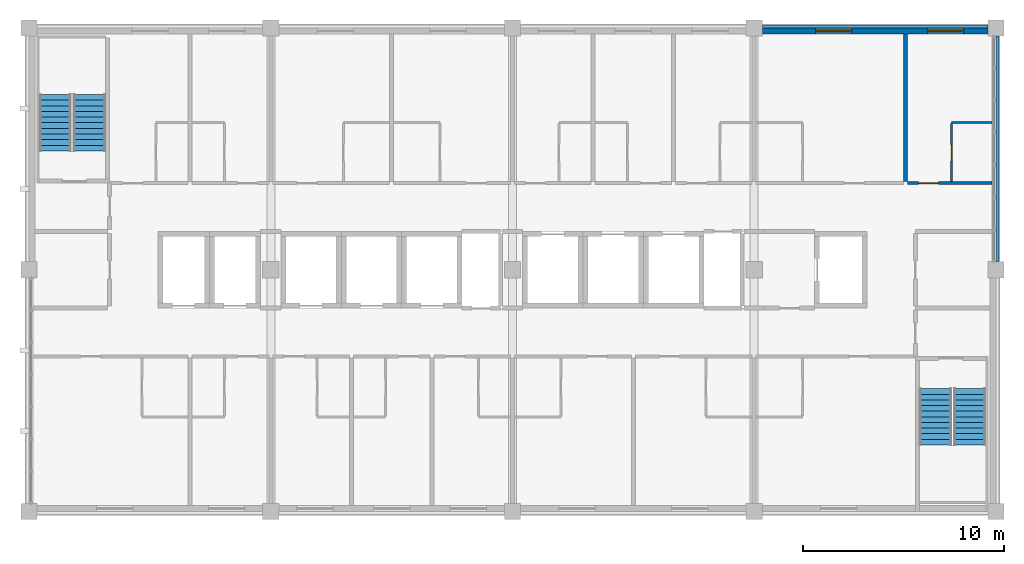
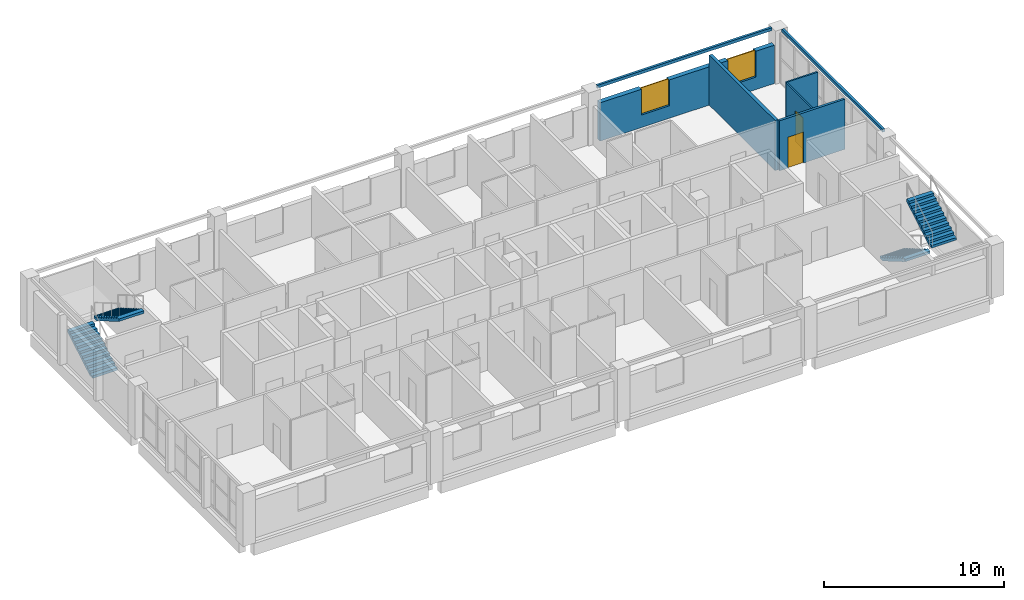
# One storey, part 10 of 11: 7 walls, 4 stair flights, 2 doors, 2 windows, 4 openings, 2 elements without a shape of their own.
"""IFC4 building model written with IfcOpenShell, lengths in metres."""

from ifc_helpers import new_model, si_unit, direction, frame, frame_2d, origin, place, context, subcontext, project, spatial, polyline, rectangle, outline, extrude, material, layer, layer_set, type_object, element, fill, aggregate, save


model = new_model("IFC4")

# Units and contexts
model_context = context("Model", 3, precision=1e-05, world=origin(), true_north=direction((0.0, 1.0)))
body_context = subcontext(model_context, "Body", "Model", "MODEL_VIEW")
ifc_project = project(units=[si_unit("LENGTHUNIT", "METRE"), si_unit("AREAUNIT", "SQUARE_METRE"), si_unit("VOLUMEUNIT", "CUBIC_METRE"), si_unit("PLANEANGLEUNIT", "RADIAN"), si_unit("MASSUNIT", "GRAM", prefix="KILO")], contexts=[model_context])

# Site, building, storey
site_placement = place(None, origin())
site = spatial("IfcSite", under=ifc_project, at=site_placement, CompositionType="ELEMENT")
building_placement = place(site_placement, origin())
building = spatial("IfcBuilding", under=site, at=building_placement, Name="Lilac Gate Convention Centre", CompositionType="ELEMENT")
storey_placement = place(building_placement, frame((0.0, 0.0, 42.60009765625)))
storey = spatial("IfcBuildingStorey", under=building, at=storey_placement, Name="L10", CompositionType="ELEMENT", Elevation=42.60009765625)

# Wall, opening, door
ifc_material_1 = material(Name="Gypsum board on steel stud", Category="steel")
ifc_layer_1 = layer(ifc_material_1, 0.14990234375)
ifc_layer_set_1 = layer_set([ifc_layer_1], Name="Gypsum board on steel stud")
wall_type_1 = type_object("IfcWallType", Name="Corridor wall 150", PredefinedType="PARTITIONING", material=ifc_layer_set_1)
wall_1_placement = place(storey_placement, frame((85.60009765625, 238.300048828125, 0.0), z_axis=(0.0, 0.0, 1.0), x_axis=(1.0, 0.0, 0.0)))
wall_1 = element("IfcWall", 1, at=wall_1_placement, inside=storey, type_object=wall_type_1, Name="Corridor wall 150 front 1017", PredefinedType="PARTITIONING", context=body_context, shape_type="SweptSolid", body=[
    extrude(rectangle(XDim=4.19970703125, YDim=0.14990234375, at=frame_2d((2.099853515625, 0.0))), origin(), (0.0, 0.0, 1.0), 3.39990234375),
])
opening_1_placement = place(wall_1_placement, frame((0.550048828125, 0.0, 0.0)))
opening_1 = element("IfcOpeningElement", 2, at=opening_1_placement, cuts=wall_1, Name="Opening T10-040", PredefinedType="OPENING", context=body_context, shape_type="SweptSolid", body=[
    extrude(rectangle(XDim=1.0, YDim=2.10009765625, at=frame_2d((0.5, 1.050048828125))), frame((0.0, 0.0849609375, 0.0), z_axis=(0.0, -1.0, 0.0), x_axis=(1.0, 0.0, 0.0)), (0.0, 0.0, 1.0), 0.169921875),
])
ifc_material_2 = material(Name="Timber", Category="wood")
door_type_1 = type_object("IfcDoorType", Name="Guest room entrance door 1000", OperationType="SINGLE_SWING_LEFT", PredefinedType="DOOR", material=ifc_material_2)
door_1_placement = place(opening_1_placement, origin())
door_1 = element("IfcDoor", 3, at=door_1_placement, inside=storey, type_object=door_type_1, Name="Guest room door 1017", OperationType="SINGLE_SWING_LEFT", OverallHeight=2.10009765625, OverallWidth=1.0, PredefinedType="DOOR", context=body_context, shape_type="SweptSolid", body=[
    extrude(rectangle(XDim=1.0, YDim=2.10009765625, at=frame_2d((0.5, 1.050048828125))), frame((0.0, 0.02490234375, 0.0), z_axis=(0.0, -1.0, 0.0), x_axis=(1.0, 0.0, 0.0)), (0.0, 0.0, 1.0), 0.050048828125),
])
fill(opening_1, door_1)

# Wall
ifc_layer_2 = layer(ifc_material_1, 0.10009765625)
ifc_layer_set_2 = layer_set([ifc_layer_2], Name="Gypsum board on steel stud")
wall_type_2 = type_object("IfcWallType", Name="En-suite wall 100", PredefinedType="PARTITIONING", material=ifc_layer_set_2)
wall_2_placement = place(storey_placement, frame((87.800048828125, 241.300048828125, 0.0), z_axis=(0.0, 0.0, 1.0), x_axis=(1.0, 0.0, 0.0)))
element("IfcWall", 4, at=wall_2_placement, inside=storey, type_object=wall_type_2, Name="En-suite wall 100 bath 1017", PredefinedType="PARTITIONING", context=body_context, shape_type="SweptSolid", body=[
    extrude(rectangle(XDim=1.999755859375, YDim=0.10009765625, at=frame_2d((1.0, 0.0))), origin(), (0.0, 0.0, 1.0), 3.39990234375),
])

# Wall, opening, door
wall_3_placement = place(storey_placement, frame((87.800048828125, 238.375, 0.0), z_axis=(0.0, 0.0, 1.0), x_axis=(0.0, 1.0, 0.0)))
wall_3 = element("IfcWall", 5, at=wall_3_placement, inside=storey, type_object=wall_type_2, Name="En-suite wall 100 bath side 1017", PredefinedType="PARTITIONING", context=body_context, shape_type="SweptSolid", body=[
    extrude(rectangle(XDim=2.875, YDim=0.10009765625, at=frame_2d((1.4375, 0.0))), origin(), (0.0, 0.0, 1.0), 3.39990234375),
])
opening_2_placement = place(wall_3_placement, frame((1.03759765625, 0.0, 0.0)))
opening_2 = element("IfcOpeningElement", 6, at=opening_2_placement, cuts=wall_3, Name="Opening T10-041", PredefinedType="OPENING", context=body_context, shape_type="SweptSolid", body=[
    extrude(rectangle(XDim=0.800048828125, YDim=2.10009765625, at=frame_2d((0.39990234375, 1.050048828125))), frame((0.0, 0.06005859375, 0.0), z_axis=(0.0, -1.0, 0.0), x_axis=(1.0, 0.0, 0.0)), (0.0, 0.0, 1.0), 0.1201171875),
])
door_type_2 = type_object("IfcDoorType", Name="En-suite door 800", OperationType="SINGLE_SWING_LEFT", PredefinedType="DOOR", material=ifc_material_2)
door_2_placement = place(opening_2_placement, origin())
door_2 = element("IfcDoor", 7, at=door_2_placement, inside=storey, type_object=door_type_2, Name="En-suite door 1017", OperationType="SINGLE_SWING_LEFT", OverallHeight=2.10009765625, OverallWidth=0.800048828125, PredefinedType="DOOR", context=body_context, shape_type="SweptSolid", body=[
    extrude(rectangle(XDim=0.800048828125, YDim=2.10009765625, at=frame_2d((0.39990234375, 1.050048828125))), frame((0.0, 0.02490234375, 0.0), z_axis=(0.0, -1.0, 0.0), x_axis=(1.0, 0.0, 0.0)), (0.0, 0.0, 1.0), 0.050048828125),
])
fill(opening_2, door_2)

# Walls
ifc_layer_3 = layer(ifc_material_1, 0.199951171875)
ifc_layer_set_3 = layer_set([ifc_layer_3], Name="Gypsum board on steel stud")
wall_type_3 = type_object("IfcWallType", Name="Guest room party wall 200", PredefinedType="PARTITIONING", material=ifc_layer_set_3)
wall_4_placement = place(storey_placement, frame((85.5, 245.7001953125, 0.0), z_axis=(0.0, 0.0, 1.0), x_axis=(0.0, -1.0, 0.0)))
element("IfcWall", 8, at=wall_4_placement, inside=storey, type_object=wall_type_3, Name="Guest room party wall 200 party 85.5", PredefinedType="PARTITIONING", context=body_context, shape_type="SweptSolid", body=[
    extrude(rectangle(XDim=7.3251953125, YDim=0.199951171875, at=frame_2d((3.66259765625, 0.0))), origin(), (0.0, 0.0, 1.0), 3.39990234375),
])
ifc_material_3 = material(Name="Concrete C40 precast", Category="concrete")
ifc_layer_4 = layer(ifc_material_3, 0.1298828125)
ifc_material_4 = material(Name="Teal glazed cladding")
ifc_layer_5 = layer(ifc_material_4, 0.02001953125)
ifc_layer_set_4 = layer_set([ifc_layer_4, ifc_layer_5], Name="Concrete C40 precast, Teal glazed cladding")
wall_type_4 = type_object("IfcWallType", Name="Precast band teal 150", PredefinedType="STANDARD", material=ifc_layer_set_4)
for number, where, z_axis, x_axis, name in (
    (9, (90.074951171875, 234.39990234375, 3.39990234375), (0.0, 0.0, 1.0), (0.0, 1.0, 0.0), "Precast band E L10 2"),
    (10, (89.60009765625, 246.074951171875, 3.39990234375), (0.0, 0.0, 1.0), (-1.0, 0.0, 0.0), "Precast band N L10 1"),
):
    element("IfcWall", number, at=place(storey_placement, frame(where, z_axis=z_axis, x_axis=x_axis)), inside=storey, type_object=wall_type_4, Name=name, PredefinedType="STANDARD", context=body_context, shape_type="SweptSolid", body=[
        extrude(rectangle(XDim=11.2001953125, YDim=0.14990234375, at=frame_2d((5.60009765625, 0.0))), origin(), (0.0, 0.0, 1.0), 0.199951171875),
    ])

# Wall, openings, windows
ifc_material_5 = material(Name="Ochre mineral render")
ifc_layer_6 = layer(ifc_material_5, 0.02001953125)
ifc_layer_7 = layer(ifc_material_3, 0.06005859375)
ifc_material_6 = material(Name="Ventilated air cavity")
ifc_layer_8 = layer(ifc_material_6, 0.030029296875)
ifc_material_7 = material(Name="Mineral wool insulation")
ifc_layer_9 = layer(ifc_material_7, 0.1201171875)
ifc_material_8 = material(Name="Steel stud Q345 and gypsum lining", Category="steel")
ifc_layer_10 = layer(ifc_material_8, 0.070068359375)
ifc_layer_set_5 = layer_set([ifc_layer_6, ifc_layer_7, ifc_layer_8, ifc_layer_9, ifc_layer_10], Name="Ochre mineral render, Concrete C40 precast, Ventilated air cavity, Mineral wool insulation, Steel stud Q345 and gypsum lining")
wall_type_5 = type_object("IfcWallType", Name="Precast panel wall ochre 300", PredefinedType="STANDARD", material=ifc_layer_set_5)
wall_5_placement = place(storey_placement, frame((89.60009765625, 245.85009765625, 0.0), z_axis=(0.0, 0.0, 1.0), x_axis=(-1.0, 0.0, 0.0)))
wall_5 = element("IfcWall", 11, at=wall_5_placement, inside=storey, type_object=wall_type_5, Name="External wall N L10 1", PredefinedType="STANDARD", context=body_context, shape_type="SweptSolid", body=[
    extrude(rectangle(XDim=11.2001953125, YDim=0.300048828125, at=frame_2d((5.60009765625, 0.0))), origin(), (0.0, 0.0, 1.0), 2.599853515625),
])
opening_3_placement = place(wall_5_placement, frame((6.75, 0.0, 0.85009765625)))
opening_3 = element("IfcOpeningElement", 12, at=opening_3_placement, cuts=wall_5, Name="Opening W1", PredefinedType="OPENING", context=body_context, shape_type="SweptSolid", body=[
    extrude(rectangle(XDim=1.800048828125, YDim=1.75, at=frame_2d((0.89990234375, 0.875))), frame((0.0, 0.159912109375, 0.0), z_axis=(0.0, -1.0, 0.0), x_axis=(1.0, 0.0, 0.0)), (0.0, 0.0, 1.0), 0.320068359375),
])
opening_4_placement = place(wall_5_placement, frame((1.199951171875, 0.0, 0.85009765625)))
opening_4 = element("IfcOpeningElement", 13, at=opening_4_placement, cuts=wall_5, Name="Opening W1", PredefinedType="OPENING", context=body_context, shape_type="SweptSolid", body=[
    extrude(rectangle(XDim=1.800048828125, YDim=1.75, at=frame_2d((0.89990234375, 0.875))), frame((0.0, 0.159912109375, 0.0), z_axis=(0.0, -1.0, 0.0), x_axis=(1.0, 0.0, 0.0)), (0.0, 0.0, 1.0), 0.320068359375),
])
ifc_material_9 = material(Name="Aluminium framed double glazing", Category="aluminium")
window_type = type_object("IfcWindowType", Name="Guest room window 1800 x 1750", PartitioningType="DOUBLE_PANEL_VERTICAL", PredefinedType="WINDOW", material=ifc_material_9)
window_1_placement = place(opening_3_placement, origin())
window_1 = element("IfcWindow", 14, at=window_1_placement, inside=storey, type_object=window_type, Name="Window Guest N L10", OverallHeight=1.75, OverallWidth=1.800048828125, PartitioningType="SINGLE_PANEL", PredefinedType="WINDOW", context=body_context, shape_type="SweptSolid", body=[
    extrude(rectangle(XDim=1.800048828125, YDim=1.75, at=frame_2d((0.89990234375, 0.875))), frame((0.0, 0.030029296875, 0.0), z_axis=(0.0, -1.0, 0.0), x_axis=(1.0, 0.0, 0.0)), (0.0, 0.0, 1.0), 0.06005859375),
])
fill(opening_3, window_1)
window_2_placement = place(opening_4_placement, origin())
window_2 = element("IfcWindow", 15, at=window_2_placement, inside=storey, type_object=window_type, Name="Window Guest N L10", OverallHeight=1.75, OverallWidth=1.800048828125, PartitioningType="SINGLE_PANEL", PredefinedType="WINDOW", context=body_context, shape_type="SweptSolid", body=[
    extrude(rectangle(XDim=1.800048828125, YDim=1.75, at=frame_2d((0.89990234375, 0.875))), frame((0.0, 0.030029296875, 0.0), z_axis=(0.0, -1.0, 0.0), x_axis=(1.0, 0.0, 0.0)), (0.0, 0.0, 1.0), 0.06005859375),
])
fill(opening_4, window_2)

# Stair, stair flights
ifc_material_10 = material(Name="Concrete C40", Category="concrete")
stair_type = type_object("IfcStairType", Name="Exit stair", PredefinedType="DOUBLE_RETURN_STAIR", material=ifc_material_10)
stair_1_placement = place(storey_placement, origin())
stair_1 = element("IfcStair", 16, at=stair_1_placement, inside=storey, type_object=stair_type, Name="Exit stair NW L10", PredefinedType="DOUBLE_RETURN_STAIR")
stair_flight_type = type_object("IfcStairFlightType", Name="Exit stair flight", PredefinedType="STRAIGHT", material=ifc_material_10)
stair_flight_1_placement = place(storey_placement, frame((43.300048828125, 239.89990234375, 0.0), z_axis=(0.0, 0.0, 1.0), x_axis=(0.0, 1.0, 0.0)))
stair_flight_1 = element("IfcStairFlight", 17, at=stair_flight_1_placement, type_object=stair_flight_type, Name="ST-NW flight 1", NumberOfRisers=11, NumberOfTreads=10, PredefinedType="STRAIGHT", RiserHeight=0.163636364, TreadLength=0.28, context=body_context, shape_type="SweptSolid", body=[
    extrude(outline(polyline([(0.0, 0.0), (0.0, 0.16357421875), (0.280029296875, 0.16357421875), (0.280029296875, 0.327392578125), (0.56005859375, 0.327392578125), (0.56005859375, 0.490966796875), (0.840087890625, 0.490966796875), (0.840087890625, 0.654541015625), (1.1201171875, 0.654541015625), (1.1201171875, 0.818115234375), (1.39990234375, 0.818115234375), (1.39990234375, 0.98193359375), (1.679931640625, 0.98193359375), (1.679931640625, 1.1455078125), (1.9599609375, 1.1455078125), (1.9599609375, 1.30908203125), (2.239990234375, 1.30908203125), (2.239990234375, 1.47265625), (2.52001953125, 1.47265625), (2.52001953125, 1.636474609375), (2.800048828125, 1.636474609375), (2.800048828125, 1.800048828125), (2.800048828125, 1.462646484375), (0.297119140625, 0.0), (0.0, 0.0)])), frame((0.0, 0.800048828125, 0.0), z_axis=(0.0, -1.0, 0.0), x_axis=(1.0, 0.0, 0.0)), (0.0, 0.0, 1.0), 1.60009765625),
])
stair_flight_2_placement = place(storey_placement, frame((45.0, 242.699951171875, 1.7998046875), z_axis=(0.0, 0.0, 1.0), x_axis=(0.0, -1.0, 0.0)))
stair_flight_2 = element("IfcStairFlight", 18, at=stair_flight_2_placement, type_object=stair_flight_type, Name="ST-NW flight 2", NumberOfRisers=11, NumberOfTreads=10, PredefinedType="STRAIGHT", RiserHeight=0.163636364, TreadLength=0.28, context=body_context, shape_type="SweptSolid", body=[
    extrude(outline(polyline([(0.0, 0.0), (0.0, 0.16357421875), (0.280029296875, 0.16357421875), (0.280029296875, 0.327392578125), (0.56005859375, 0.327392578125), (0.56005859375, 0.490966796875), (0.840087890625, 0.490966796875), (0.840087890625, 0.654541015625), (1.1201171875, 0.654541015625), (1.1201171875, 0.818115234375), (1.39990234375, 0.818115234375), (1.39990234375, 0.98193359375), (1.679931640625, 0.98193359375), (1.679931640625, 1.1455078125), (1.9599609375, 1.1455078125), (1.9599609375, 1.30908203125), (2.239990234375, 1.30908203125), (2.239990234375, 1.47265625), (2.52001953125, 1.47265625), (2.52001953125, 1.636474609375), (2.800048828125, 1.636474609375), (2.800048828125, 1.800048828125), (2.800048828125, 1.462646484375), (0.297119140625, 0.0), (0.0, 0.0)])), frame((0.0, 0.800048828125, 0.0), z_axis=(0.0, -1.0, 0.0), x_axis=(1.0, 0.0, 0.0)), (0.0, 0.0, 1.0), 1.60009765625),
])
aggregate(stair_1, [stair_flight_1, stair_flight_2])

stair_2_placement = place(storey_placement, origin())
stair_2 = element("IfcStair", 19, at=stair_2_placement, inside=storey, type_object=stair_type, Name="Exit stair SE L10", PredefinedType="DOUBLE_RETURN_STAIR")
stair_flight_3_placement = place(storey_placement, frame((87.0, 228.10009765625, 0.0), z_axis=(0.0, 0.0, 1.0), x_axis=(0.0, -1.0, 0.0)))
stair_flight_3 = element("IfcStairFlight", 20, at=stair_flight_3_placement, type_object=stair_flight_type, Name="ST-SE flight 1", NumberOfRisers=11, NumberOfTreads=10, PredefinedType="STRAIGHT", RiserHeight=0.163636364, TreadLength=0.28, context=body_context, shape_type="SweptSolid", body=[
    extrude(outline(polyline([(0.0, 0.0), (0.0, 0.16357421875), (0.280029296875, 0.16357421875), (0.280029296875, 0.327392578125), (0.56005859375, 0.327392578125), (0.56005859375, 0.490966796875), (0.840087890625, 0.490966796875), (0.840087890625, 0.654541015625), (1.1201171875, 0.654541015625), (1.1201171875, 0.818115234375), (1.39990234375, 0.818115234375), (1.39990234375, 0.98193359375), (1.679931640625, 0.98193359375), (1.679931640625, 1.1455078125), (1.9599609375, 1.1455078125), (1.9599609375, 1.30908203125), (2.239990234375, 1.30908203125), (2.239990234375, 1.47265625), (2.52001953125, 1.47265625), (2.52001953125, 1.636474609375), (2.800048828125, 1.636474609375), (2.800048828125, 1.800048828125), (2.800048828125, 1.462646484375), (0.297119140625, 0.0), (0.0, 0.0)])), frame((0.0, 0.800048828125, 0.0), z_axis=(0.0, -1.0, 0.0), x_axis=(1.0, 0.0, 0.0)), (0.0, 0.0, 1.0), 1.60009765625),
])
stair_flight_4_placement = place(storey_placement, frame((88.699951171875, 225.300048828125, 1.7998046875), z_axis=(0.0, 0.0, 1.0), x_axis=(0.0, 1.0, 0.0)))
stair_flight_4 = element("IfcStairFlight", 21, at=stair_flight_4_placement, type_object=stair_flight_type, Name="ST-SE flight 2", NumberOfRisers=11, NumberOfTreads=10, PredefinedType="STRAIGHT", RiserHeight=0.163636364, TreadLength=0.28, context=body_context, shape_type="SweptSolid", body=[
    extrude(outline(polyline([(0.0, 0.0), (0.0, 0.16357421875), (0.280029296875, 0.16357421875), (0.280029296875, 0.327392578125), (0.56005859375, 0.327392578125), (0.56005859375, 0.490966796875), (0.840087890625, 0.490966796875), (0.840087890625, 0.654541015625), (1.1201171875, 0.654541015625), (1.1201171875, 0.818115234375), (1.39990234375, 0.818115234375), (1.39990234375, 0.98193359375), (1.679931640625, 0.98193359375), (1.679931640625, 1.1455078125), (1.9599609375, 1.1455078125), (1.9599609375, 1.30908203125), (2.239990234375, 1.30908203125), (2.239990234375, 1.47265625), (2.52001953125, 1.47265625), (2.52001953125, 1.636474609375), (2.800048828125, 1.636474609375), (2.800048828125, 1.800048828125), (2.800048828125, 1.462646484375), (0.297119140625, 0.0), (0.0, 0.0)])), frame((0.0, 0.800048828125, 0.0), z_axis=(0.0, -1.0, 0.0), x_axis=(1.0, 0.0, 0.0)), (0.0, 0.0, 1.0), 1.60009765625),
])
aggregate(stair_2, [stair_flight_3, stair_flight_4])

save(model, "model.ifc")
